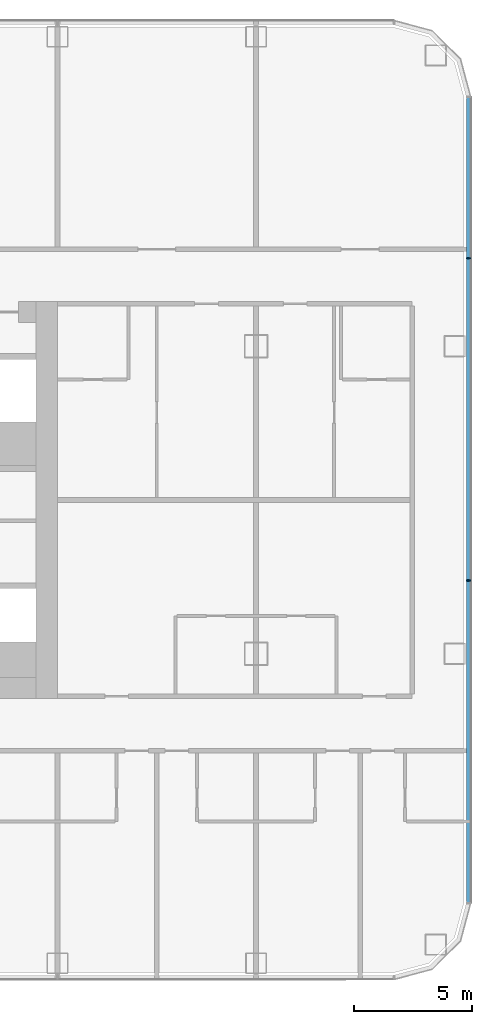
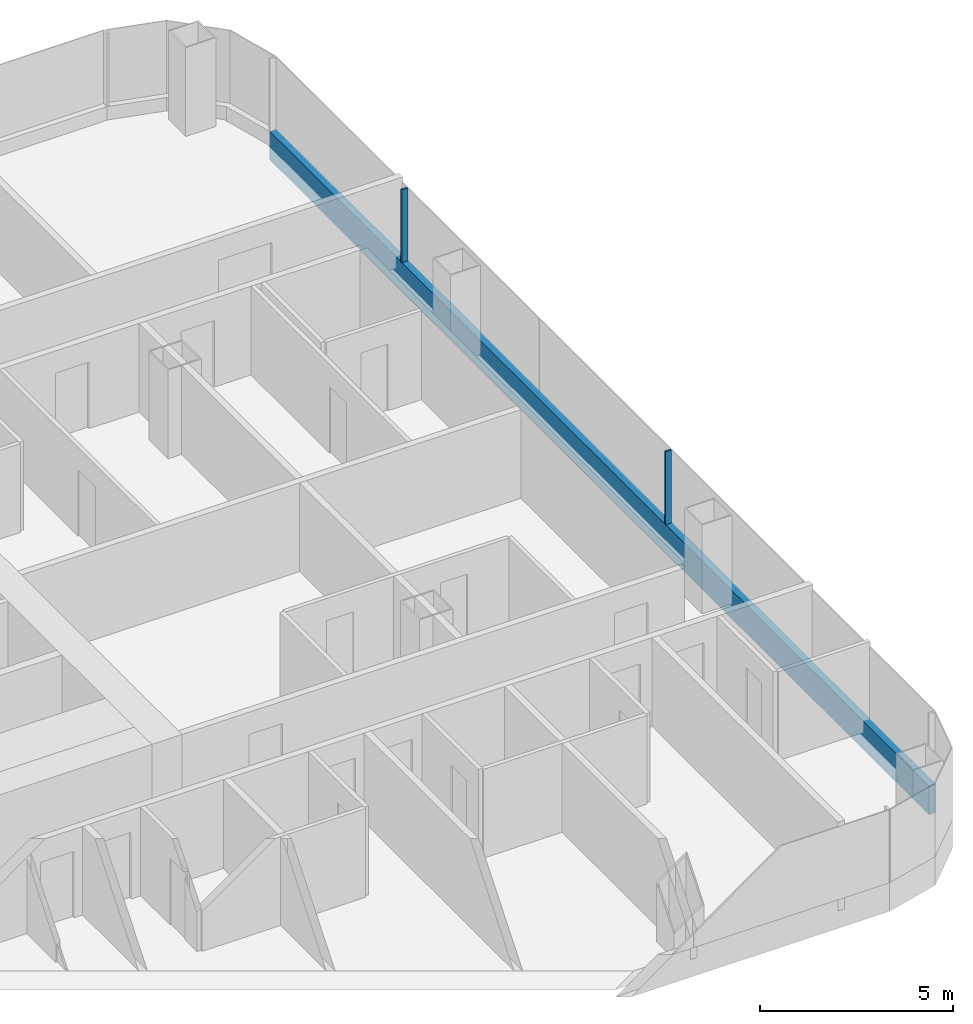
# One storey, part 10 of 29: 3 members, 1 element without a shape of its own.
"""IFC4 building model written with IfcOpenShell, lengths in metres."""

from ifc_helpers import new_model, si_unit, direction, frame, origin, origin_2d, place, context, subcontext, project, spatial, rectangle, extrude, material, layer, layer_set, material_profile, profile_set, type_object, element, aggregate, save


model = new_model("IFC4")

# Units and contexts
model_context = context("Model", 3, precision=1e-05, world=origin(), true_north=direction((0.0, 1.0)))
body_context = subcontext(model_context, "Body", "Model", "MODEL_VIEW")
ifc_project = project(units=[si_unit("LENGTHUNIT", "METRE"), si_unit("AREAUNIT", "SQUARE_METRE"), si_unit("VOLUMEUNIT", "CUBIC_METRE"), si_unit("PLANEANGLEUNIT", "RADIAN"), si_unit("MASSUNIT", "GRAM", prefix="KILO")], contexts=[model_context])

# Site, building, storey
site_placement = place(None, origin())
site = spatial("IfcSite", under=ifc_project, at=site_placement, CompositionType="ELEMENT")
building_placement = place(site_placement, origin())
building = spatial("IfcBuilding", under=site, at=building_placement, Name="Hakoniwa Tower and Hamabe Station Hall", CompositionType="ELEMENT")
storey_placement = place(building_placement, frame((0.0, 0.0, 55.0)))
storey = spatial("IfcBuildingStorey", under=building, at=storey_placement, Name="L15", CompositionType="ELEMENT", Elevation=55.0)

# Curtain wall, members
ifc_material_1 = material(Name="Dark low-e laminated glass", Category="glass")
ifc_layer = layer(ifc_material_1, 0.199951171875)
ifc_layer_set = layer_set([ifc_layer], Name="CW-1 UNITISED GUEST")
curtain_wall_type = type_object("IfcCurtainWallType", Name="CW-1 UNITISED GUEST", PredefinedType="NOTDEFINED", material=ifc_layer_set)
curtain_wall_placement = place(storey_placement, origin())
curtain_wall = element("IfcCurtainWall", 1, at=curtain_wall_placement, inside=storey, type_object=curtain_wall_type, Name="CW-1 curtain wall", PredefinedType="NOTDEFINED")
ifc_material_2 = material(Name="Aluminium 6063-T5 black anodised", Category="aluminium")
ifc_material_profile_1 = material_profile(ifc_material_2, rectangle(XDim=0.199951171875, YDim=0.89990234375, at=origin_2d()), Name="CW SLAB-EDGE BAND 900X200")
ifc_profile_set_1 = profile_set([ifc_material_profile_1], Name="Aluminium 6063-T5 black anodised")
member_type_1 = type_object("IfcMemberType", Name="CW SLAB-EDGE BAND 900X200", PredefinedType="USERDEFINED", material=ifc_profile_set_1)
member_1_placement = place(storey_placement, frame((51.0, -17.03955078125, -0.10009765625), z_axis=(0.0, 1.0, 0.0), x_axis=(-1.0, 0.0, 0.0)))
member_1 = element("IfcMember", 2, at=member_1_placement, type_object=member_type_1, Name="CW-1 transom", ObjectType="TRANSOM", PredefinedType="USERDEFINED", context=body_context, shape_type="SweptSolid", body=[
    extrude(rectangle(XDim=0.199951171875, YDim=0.89990234375, at=origin_2d()), origin(), (0.0, 0.0, 1.0), 34.0791015625),
])
ifc_material_3 = material(Name="Aluminium 6063-T5 black anodised", Category="aluminium")
ifc_material_profile_2 = material_profile(ifc_material_3, rectangle(XDim=0.06005859375, YDim=0.179931640625, at=origin_2d()), Name="CW-1 MULLION 60X180")
ifc_profile_set_2 = profile_set([ifc_material_profile_2], Name="Aluminium 6063-T5 black anodised")
member_type_2 = type_object("IfcMemberType", Name="CW-1 MULLION 60X180", PredefinedType="MULLION", material=ifc_profile_set_2)
member_2_placement = place(storey_placement, frame((50.98193359375, -3.407958984375, 0.35009765625), z_axis=(0.0, 0.0, 1.0), x_axis=(0.0, 1.0, 0.0)))
member_2 = element("IfcMember", 3, at=member_2_placement, type_object=member_type_2, Name="CW-1 mullion", PredefinedType="MULLION", context=body_context, shape_type="SweptSolid", body=[
    extrude(rectangle(XDim=0.06005859375, YDim=0.179931640625, at=origin_2d()), origin(), (0.0, 0.0, 1.0), 2.2998046875),
])
member_3_placement = place(storey_placement, frame((50.98193359375, 10.2236328125, 0.35009765625), z_axis=(0.0, 0.0, 1.0), x_axis=(0.0, 1.0, 0.0)))
member_3 = element("IfcMember", 4, at=member_3_placement, type_object=member_type_2, Name="CW-1 mullion", PredefinedType="MULLION", context=body_context, shape_type="SweptSolid", body=[
    extrude(rectangle(XDim=0.06005859375, YDim=0.179931640625, at=origin_2d()), origin(), (0.0, 0.0, 1.0), 2.2998046875),
])
aggregate(curtain_wall, [member_2, member_3, member_1])

save(model, "model.ifc")
